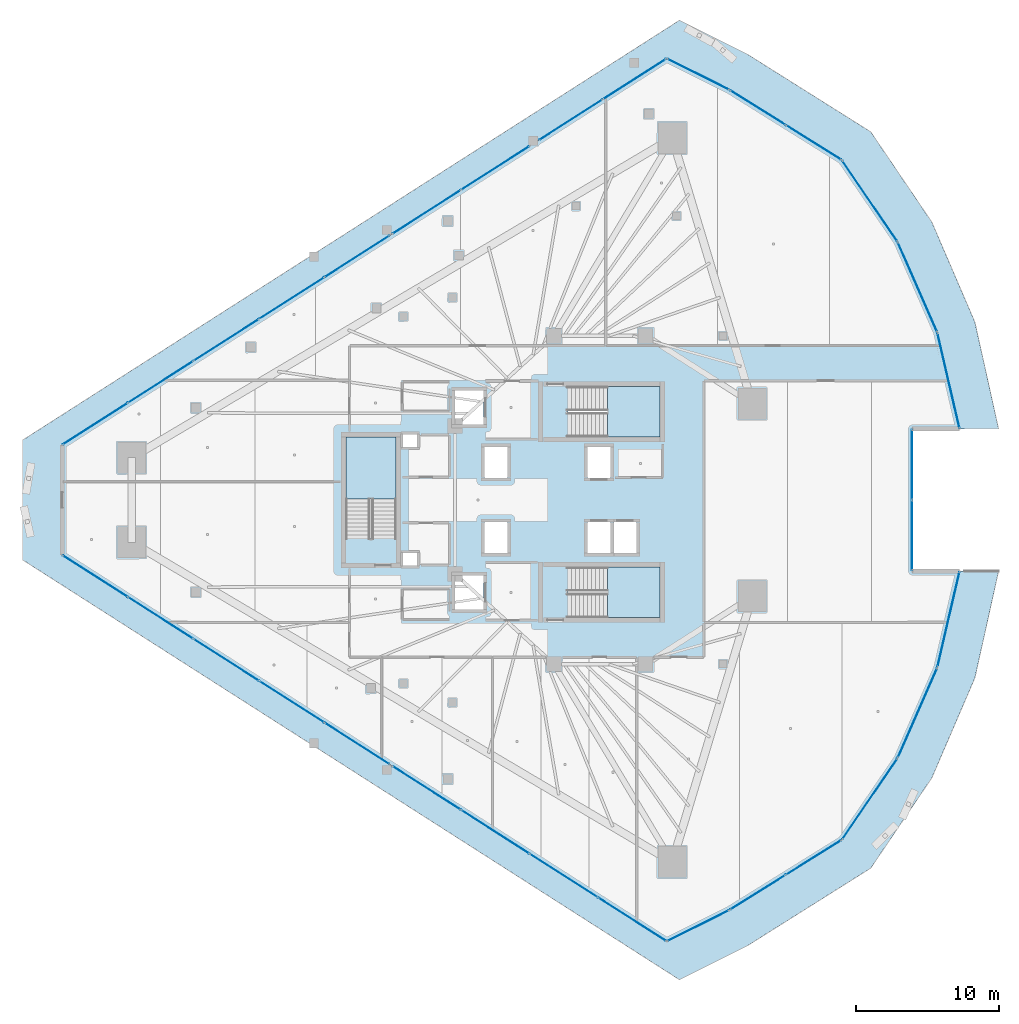
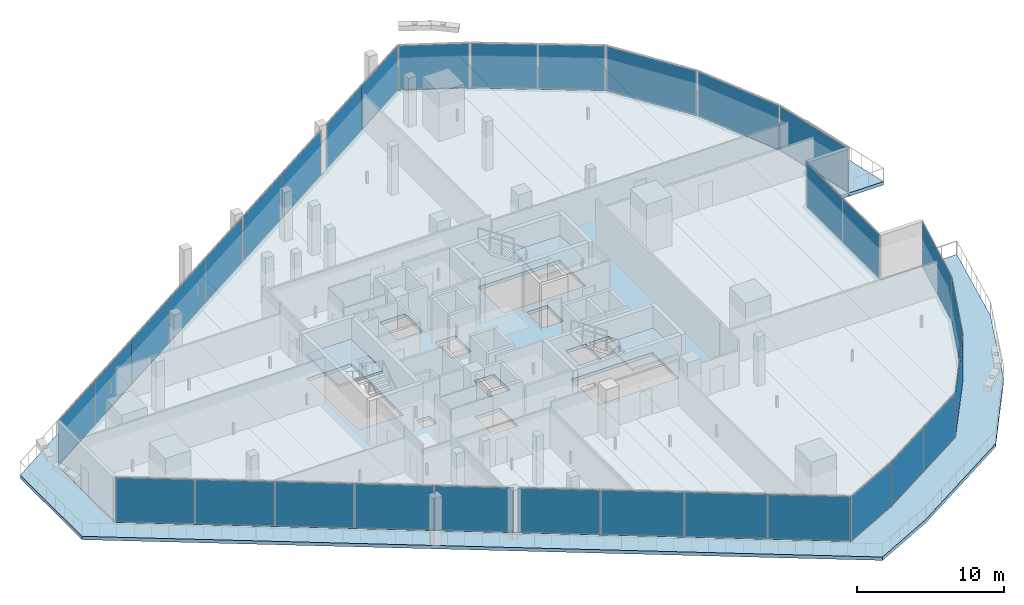
# One storey, part 26 of 42: 32 plates, 5 slabs, 19 elements without a shape of their own.
"""IFC4 building model written with IfcOpenShell, lengths in metres."""

from ifc_helpers import new_model, si_unit, direction, frame, origin, origin_2d, place, context, subcontext, project, spatial, polyline, rectangle, outline, extrude, material, layer, layer_set, type_object, element, aggregate, save


model = new_model("IFC4")

# Units and contexts
model_context = context("Model", 3, precision=1e-05, world=origin(), true_north=direction((0.0, 1.0)))
body_context = subcontext(model_context, "Body", "Model", "MODEL_VIEW")
ifc_project = project(units=[si_unit("LENGTHUNIT", "METRE"), si_unit("AREAUNIT", "SQUARE_METRE"), si_unit("VOLUMEUNIT", "CUBIC_METRE"), si_unit("PLANEANGLEUNIT", "RADIAN"), si_unit("MASSUNIT", "GRAM", prefix="KILO")], contexts=[model_context])

# Site, building, storey
site_placement = place(None, origin())
site = spatial("IfcSite", under=ifc_project, at=site_placement, CompositionType="ELEMENT")
building_placement = place(site_placement, origin())
building = spatial("IfcBuilding", under=site, at=building_placement, Name="Qorvath Tower", CompositionType="ELEMENT")
storey_placement = place(building_placement, frame((0.0, 0.0, 117.89990234375)))
storey = spatial("IfcBuildingStorey", under=building, at=storey_placement, Name="L26", CompositionType="ELEMENT", Elevation=117.89990234375)

# Curtain wall, plates
ifc_material_1 = material(Name="Anodised aluminium and triple low-E glass", Category="aluminium")
ifc_layer_1 = layer(ifc_material_1, 0.179931640625)
ifc_layer_set_1 = layer_set([ifc_layer_1], Name="CW-SYS-2")
curtain_wall_type = type_object("IfcCurtainWallType", Name="CW-SYS-2", PredefinedType="NOTDEFINED", material=ifc_layer_set_1)
curtain_wall_1_placement = place(storey_placement, origin())
curtain_wall_1 = element("IfcCurtainWall", 1, at=curtain_wall_1_placement, inside=storey, type_object=curtain_wall_type, Name="Curtain Wall CW-2 CW-T-L26-2.1", PredefinedType="NOTDEFINED")
ifc_material_2 = material(Name="Low-E triple insulated glass", Category="glass")
ifc_layer_2 = layer(ifc_material_2, 0.031982421875)
ifc_layer_set_2 = layer_set([ifc_layer_2], Name="CWP-GLZ-32")
plate_type = type_object("IfcPlateType", Name="CWP-GLZ-32", PredefinedType="CURTAIN_PANEL", material=ifc_layer_set_2)
plate_1_placement = place(storey_placement, frame((-55.589599609375, -5.318359375, 0.06494140625), z_axis=(0.0, 0.0, 1.0), x_axis=(0.842603667285, -0.538534177075, 0.0)))
plate_1 = element("IfcPlate", 2, at=plate_1_placement, type_object=plate_type, Name="CW-2 panel 1.1", PredefinedType="CURTAIN_PANEL", context=body_context, shape_type="SweptSolid", body=[
    extrude(rectangle(XDim=5.32861328125, YDim=0.031982421875, at=origin_2d()), origin(), (0.0, 0.0, 1.0), 3.639892578125),
])
plate_2_placement = place(storey_placement, frame((-51.03125, -8.231689453125, 0.06494140625), z_axis=(0.0, 0.0, 1.0), x_axis=(0.842603667285, -0.538534177075, 0.0)))
plate_2 = element("IfcPlate", 3, at=plate_2_placement, type_object=plate_type, Name="CW-2 panel 2.1", PredefinedType="CURTAIN_PANEL", context=body_context, shape_type="SweptSolid", body=[
    extrude(rectangle(XDim=5.361083984375, YDim=0.031982421875, at=origin_2d()), origin(), (0.0, 0.0, 1.0), 3.639892578125),
])
plate_3_placement = place(storey_placement, frame((-46.459228515625, -11.15380859375, 0.06494140625), z_axis=(0.0, 0.0, 1.0), x_axis=(0.842603667285, -0.538534177075, 0.0)))
plate_3 = element("IfcPlate", 4, at=plate_3_placement, type_object=plate_type, Name="CW-2 panel 3.1", PredefinedType="CURTAIN_PANEL", context=body_context, shape_type="SweptSolid", body=[
    extrude(rectangle(XDim=5.361083984375, YDim=0.031982421875, at=origin_2d()), origin(), (0.0, 0.0, 1.0), 3.639892578125),
])
plate_4_placement = place(storey_placement, frame((-41.88720703125, -14.075927734375, 0.06494140625), z_axis=(0.0, 0.0, 1.0), x_axis=(0.842603667285, -0.538534177075, 0.0)))
plate_4 = element("IfcPlate", 5, at=plate_4_placement, type_object=plate_type, Name="CW-2 panel 4.1", PredefinedType="CURTAIN_PANEL", context=body_context, shape_type="SweptSolid", body=[
    extrude(rectangle(XDim=5.361083984375, YDim=0.031982421875, at=origin_2d()), origin(), (0.0, 0.0, 1.0), 3.639892578125),
])
plate_5_placement = place(storey_placement, frame((-37.328857421875, -16.989501953125, 0.06494140625), z_axis=(0.0, 0.0, 1.0), x_axis=(0.842603667285, -0.538534177075, 0.0)))
plate_5 = element("IfcPlate", 6, at=plate_5_placement, type_object=plate_type, Name="CW-2 panel 5.1", PredefinedType="CURTAIN_PANEL", context=body_context, shape_type="SweptSolid", body=[
    extrude(rectangle(XDim=5.32861328125, YDim=0.031982421875, at=origin_2d()), origin(), (0.0, 0.0, 1.0), 3.639892578125),
])
aggregate(curtain_wall_1, [plate_1, plate_2, plate_3, plate_4, plate_5])

curtain_wall_2_placement = place(storey_placement, origin())
curtain_wall_2 = element("IfcCurtainWall", 7, at=curtain_wall_2_placement, inside=storey, type_object=curtain_wall_type, Name="Curtain Wall CW-2 CW-T-L26-2.2", PredefinedType="NOTDEFINED")
plate_6_placement = place(storey_placement, frame((-32.474853515625, -20.091796875, 0.06494140625), z_axis=(0.0, 0.0, 1.0), x_axis=(0.84260239638, -0.538536165559, 0.0)))
plate_6 = element("IfcPlate", 8, at=plate_6_placement, type_object=plate_type, Name="CW-2 panel 1.1", PredefinedType="CURTAIN_PANEL", context=body_context, shape_type="SweptSolid", body=[
    extrude(rectangle(XDim=5.582763671875, YDim=0.031982421875, at=origin_2d()), origin(), (0.0, 0.0, 1.0), 3.639892578125),
])
plate_7_placement = place(storey_placement, frame((-27.702392578125, -23.14208984375, 0.06494140625), z_axis=(0.0, 0.0, 1.0), x_axis=(0.84260239638, -0.538536165559, 0.0)))
plate_7 = element("IfcPlate", 9, at=plate_7_placement, type_object=plate_type, Name="CW-2 panel 2.1", PredefinedType="CURTAIN_PANEL", context=body_context, shape_type="SweptSolid", body=[
    extrude(rectangle(XDim=5.615234375, YDim=0.031982421875, at=origin_2d()), origin(), (0.0, 0.0, 1.0), 3.639892578125),
])
plate_8_placement = place(storey_placement, frame((-22.916015625, -26.201171875, 0.06494140625), z_axis=(0.0, 0.0, 1.0), x_axis=(0.84260239638, -0.538536165559, 0.0)))
plate_8 = element("IfcPlate", 10, at=plate_8_placement, type_object=plate_type, Name="CW-2 panel 3.1", PredefinedType="CURTAIN_PANEL", context=body_context, shape_type="SweptSolid", body=[
    extrude(rectangle(XDim=5.615234375, YDim=0.031982421875, at=origin_2d()), origin(), (0.0, 0.0, 1.0), 3.639892578125),
])
plate_9_placement = place(storey_placement, frame((-18.1435546875, -29.251220703125, 0.06494140625), z_axis=(0.0, 0.0, 1.0), x_axis=(0.84260239638, -0.538536165559, 0.0)))
plate_9 = element("IfcPlate", 11, at=plate_9_placement, type_object=plate_type, Name="CW-2 panel 4.1", PredefinedType="CURTAIN_PANEL", context=body_context, shape_type="SweptSolid", body=[
    extrude(rectangle(XDim=5.582763671875, YDim=0.031982421875, at=origin_2d()), origin(), (0.0, 0.0, 1.0), 3.639892578125),
])
aggregate(curtain_wall_2, [plate_6, plate_7, plate_8, plate_9])

# Curtain wall, plate
curtain_wall_3_placement = place(storey_placement, origin())
curtain_wall_3 = element("IfcCurtainWall", 12, at=curtain_wall_3_placement, inside=storey, type_object=curtain_wall_type, Name="Curtain Wall CW-2 CW-T-L26-3.1", PredefinedType="NOTDEFINED")
plate_10_placement = place(storey_placement, frame((-13.53759765625, -29.68994140625, 0.06494140625), z_axis=(0.0, 0.0, 1.0), x_axis=(0.894402787992, 0.447262398188, 0.0)))
plate_10 = element("IfcPlate", 13, at=plate_10_placement, type_object=plate_type, Name="CW-2 panel 1.1", PredefinedType="CURTAIN_PANEL", context=body_context, shape_type="SweptSolid", body=[
    extrude(rectangle(XDim=4.78759765625, YDim=0.031982421875, at=origin_2d()), origin(), (0.0, 0.0, 1.0), 3.639892578125),
])
aggregate(curtain_wall_3, [plate_10])

# Curtain wall, plates
curtain_wall_4_placement = place(storey_placement, origin())
curtain_wall_4 = element("IfcCurtainWall", 14, at=curtain_wall_4_placement, inside=storey, type_object=curtain_wall_type, Name="Curtain Wall CW-2 CW-T-L26-4.1", PredefinedType="NOTDEFINED")
plate_11_placement = place(storey_placement, frame((-9.370361328125, -27.361572265625, 0.06494140625), z_axis=(0.0, 0.0, 1.0), x_axis=(0.84830786263, 0.529503324069, 0.0)))
plate_11 = element("IfcPlate", 15, at=plate_11_placement, type_object=plate_type, Name="CW-2 panel 1.1", PredefinedType="CURTAIN_PANEL", context=body_context, shape_type="SweptSolid", body=[
    extrude(rectangle(XDim=4.510009765625, YDim=0.031982421875, at=origin_2d()), origin(), (0.0, 0.0, 1.0), 3.639892578125),
])
plate_12_placement = place(storey_placement, frame((-5.4892578125, -24.939208984375, 0.06494140625), z_axis=(0.0, 0.0, 1.0), x_axis=(0.84830786263, 0.529503324069, 0.0)))
plate_12 = element("IfcPlate", 16, at=plate_12_placement, type_object=plate_type, Name="CW-2 panel 2.1", PredefinedType="CURTAIN_PANEL", context=body_context, shape_type="SweptSolid", body=[
    extrude(rectangle(XDim=4.510009765625, YDim=0.031982421875, at=origin_2d()), origin(), (0.0, 0.0, 1.0), 3.639892578125),
])
aggregate(curtain_wall_4, [plate_11, plate_12])

# Curtain wall, plate
curtain_wall_5_placement = place(storey_placement, origin())
curtain_wall_5 = element("IfcCurtainWall", 17, at=curtain_wall_5_placement, inside=storey, type_object=curtain_wall_type, Name="Curtain Wall CW-2 CW-T-L26-5.1", PredefinedType="NOTDEFINED")
plate_13_placement = place(storey_placement, frame((-1.574462890625, -20.861572265625, 0.06494140625), z_axis=(0.0, 0.0, 1.0), x_axis=(0.564163835208, 0.825662865244, 0.0)))
plate_13 = element("IfcPlate", 18, at=plate_13_placement, type_object=plate_type, Name="CW-2 panel 1.1", PredefinedType="CURTAIN_PANEL", context=body_context, shape_type="SweptSolid", body=[
    extrude(rectangle(XDim=6.771484375, YDim=0.031982421875, at=origin_2d()), origin(), (0.0, 0.0, 1.0), 3.639892578125),
])
aggregate(curtain_wall_5, [plate_13])

curtain_wall_6_placement = place(storey_placement, origin())
curtain_wall_6 = element("IfcCurtainWall", 19, at=curtain_wall_6_placement, inside=storey, type_object=curtain_wall_type, Name="Curtain Wall CW-2 CW-T-L26-6.1", PredefinedType="NOTDEFINED")
plate_14_placement = place(storey_placement, frame((1.75830078125, -14.852294921875, 0.06494140625), z_axis=(0.0, 0.0, 1.0), x_axis=(0.401648703602, 0.915793818987, 0.0)))
plate_14 = element("IfcPlate", 20, at=plate_14_placement, type_object=plate_type, Name="CW-2 panel 1.1", PredefinedType="CURTAIN_PANEL", context=body_context, shape_type="SweptSolid", body=[
    extrude(rectangle(XDim=6.771484375, YDim=0.031982421875, at=origin_2d()), origin(), (0.0, 0.0, 1.0), 3.639892578125),
])
aggregate(curtain_wall_6, [plate_14])

curtain_wall_7_placement = place(storey_placement, origin())
curtain_wall_7 = element("IfcCurtainWall", 21, at=curtain_wall_7_placement, inside=storey, type_object=curtain_wall_type, Name="Curtain Wall CW-2 CW-T-L26-7.1", PredefinedType="NOTDEFINED")
plate_15_placement = place(storey_placement, frame((3.921630859375, -8.330078125, 0.06494140625), z_axis=(0.0, 0.0, 1.0), x_axis=(0.225270080166, 0.974296356855, 0.0)))
plate_15 = element("IfcPlate", 22, at=plate_15_placement, type_object=plate_type, Name="CW-2 panel 1.1", PredefinedType="CURTAIN_PANEL", context=body_context, shape_type="SweptSolid", body=[
    extrude(rectangle(XDim=6.771484375, YDim=0.031982421875, at=origin_2d()), origin(), (0.0, 0.0, 1.0), 3.639892578125),
])
aggregate(curtain_wall_7, [plate_15])

# Curtain wall, plates
curtain_wall_8_placement = place(storey_placement, origin())
curtain_wall_8 = element("IfcCurtainWall", 23, at=curtain_wall_8_placement, inside=storey, type_object=curtain_wall_type, Name="Curtain Wall CW-2 CW-T-L26-9.1", PredefinedType="NOTDEFINED")
plate_16_placement = place(storey_placement, frame((1.386962890625, -2.4677734375, 0.06494140625), z_axis=(0.0, 0.0, 1.0), x_axis=(0.0, 1.0, 0.0)))
plate_16 = element("IfcPlate", 24, at=plate_16_placement, type_object=plate_type, Name="CW-2 panel 1.1", PredefinedType="CURTAIN_PANEL", context=body_context, shape_type="SweptSolid", body=[
    extrude(rectangle(XDim=4.87060546875, YDim=0.031982421875, at=origin_2d()), origin(), (0.0, 0.0, 1.0), 3.639892578125),
])
plate_17_placement = place(storey_placement, frame((1.386962890625, 2.4677734375, 0.06494140625), z_axis=(0.0, 0.0, 1.0), x_axis=(0.0, 1.0, 0.0)))
plate_17 = element("IfcPlate", 25, at=plate_17_placement, type_object=plate_type, Name="CW-2 panel 2.1", PredefinedType="CURTAIN_PANEL", context=body_context, shape_type="SweptSolid", body=[
    extrude(rectangle(XDim=4.87060546875, YDim=0.031982421875, at=origin_2d()), origin(), (0.0, 0.0, 1.0), 3.639892578125),
])
aggregate(curtain_wall_8, [plate_16, plate_17])

# Curtain wall, plate
curtain_wall_9_placement = place(storey_placement, origin())
curtain_wall_9 = element("IfcCurtainWall", 26, at=curtain_wall_9_placement, inside=storey, type_object=curtain_wall_type, Name="Curtain Wall CW-2 CW-T-L26-11.1", PredefinedType="NOTDEFINED")
plate_18_placement = place(storey_placement, frame((3.921630859375, 8.330078125, 0.06494140625), z_axis=(0.0, 0.0, 1.0), x_axis=(-0.225270080166, 0.974296356855, 0.0)))
plate_18 = element("IfcPlate", 27, at=plate_18_placement, type_object=plate_type, Name="CW-2 panel 1.1", PredefinedType="CURTAIN_PANEL", context=body_context, shape_type="SweptSolid", body=[
    extrude(rectangle(XDim=6.771484375, YDim=0.031982421875, at=origin_2d()), origin(), (0.0, 0.0, 1.0), 3.639892578125),
])
aggregate(curtain_wall_9, [plate_18])

curtain_wall_10_placement = place(storey_placement, origin())
curtain_wall_10 = element("IfcCurtainWall", 28, at=curtain_wall_10_placement, inside=storey, type_object=curtain_wall_type, Name="Curtain Wall CW-2 CW-T-L26-12.1", PredefinedType="NOTDEFINED")
plate_19_placement = place(storey_placement, frame((1.75830078125, 14.852294921875, 0.06494140625), z_axis=(0.0, 0.0, 1.0), x_axis=(-0.401648703602, 0.915793818987, 0.0)))
plate_19 = element("IfcPlate", 29, at=plate_19_placement, type_object=plate_type, Name="CW-2 panel 1.1", PredefinedType="CURTAIN_PANEL", context=body_context, shape_type="SweptSolid", body=[
    extrude(rectangle(XDim=6.771484375, YDim=0.031982421875, at=origin_2d()), origin(), (0.0, 0.0, 1.0), 3.639892578125),
])
aggregate(curtain_wall_10, [plate_19])

curtain_wall_11_placement = place(storey_placement, origin())
curtain_wall_11 = element("IfcCurtainWall", 30, at=curtain_wall_11_placement, inside=storey, type_object=curtain_wall_type, Name="Curtain Wall CW-2 CW-T-L26-13.1", PredefinedType="NOTDEFINED")
plate_20_placement = place(storey_placement, frame((-1.574462890625, 20.861572265625, 0.06494140625), z_axis=(0.0, 0.0, 1.0), x_axis=(-0.564163835208, 0.825662865244, 0.0)))
plate_20 = element("IfcPlate", 31, at=plate_20_placement, type_object=plate_type, Name="CW-2 panel 1.1", PredefinedType="CURTAIN_PANEL", context=body_context, shape_type="SweptSolid", body=[
    extrude(rectangle(XDim=6.771484375, YDim=0.031982421875, at=origin_2d()), origin(), (0.0, 0.0, 1.0), 3.639892578125),
])
aggregate(curtain_wall_11, [plate_20])

# Curtain wall, plates
curtain_wall_12_placement = place(storey_placement, origin())
curtain_wall_12 = element("IfcCurtainWall", 32, at=curtain_wall_12_placement, inside=storey, type_object=curtain_wall_type, Name="Curtain Wall CW-2 CW-T-L26-14.1", PredefinedType="NOTDEFINED")
plate_21_placement = place(storey_placement, frame((-5.4892578125, 24.939208984375, 0.06494140625), z_axis=(0.0, 0.0, 1.0), x_axis=(-0.84830786263, 0.529503324069, 0.0)))
plate_21 = element("IfcPlate", 33, at=plate_21_placement, type_object=plate_type, Name="CW-2 panel 1.1", PredefinedType="CURTAIN_PANEL", context=body_context, shape_type="SweptSolid", body=[
    extrude(rectangle(XDim=4.510009765625, YDim=0.031982421875, at=origin_2d()), origin(), (0.0, 0.0, 1.0), 3.639892578125),
])
plate_22_placement = place(storey_placement, frame((-9.370361328125, 27.361572265625, 0.06494140625), z_axis=(0.0, 0.0, 1.0), x_axis=(-0.84830786263, 0.529503324069, 0.0)))
plate_22 = element("IfcPlate", 34, at=plate_22_placement, type_object=plate_type, Name="CW-2 panel 2.1", PredefinedType="CURTAIN_PANEL", context=body_context, shape_type="SweptSolid", body=[
    extrude(rectangle(XDim=4.510009765625, YDim=0.031982421875, at=origin_2d()), origin(), (0.0, 0.0, 1.0), 3.639892578125),
])
aggregate(curtain_wall_12, [plate_21, plate_22])

# Curtain wall, plate
curtain_wall_13_placement = place(storey_placement, origin())
curtain_wall_13 = element("IfcCurtainWall", 35, at=curtain_wall_13_placement, inside=storey, type_object=curtain_wall_type, Name="Curtain Wall CW-2 CW-T-L26-15.1", PredefinedType="NOTDEFINED")
plate_23_placement = place(storey_placement, frame((-13.53759765625, 29.68994140625, 0.06494140625), z_axis=(0.0, 0.0, 1.0), x_axis=(-0.894402787992, 0.447262398188, 0.0)))
plate_23 = element("IfcPlate", 36, at=plate_23_placement, type_object=plate_type, Name="CW-2 panel 1.1", PredefinedType="CURTAIN_PANEL", context=body_context, shape_type="SweptSolid", body=[
    extrude(rectangle(XDim=4.78759765625, YDim=0.031982421875, at=origin_2d()), origin(), (0.0, 0.0, 1.0), 3.639892578125),
])
aggregate(curtain_wall_13, [plate_23])

# Curtain wall, plates
curtain_wall_14_placement = place(storey_placement, origin())
curtain_wall_14 = element("IfcCurtainWall", 37, at=curtain_wall_14_placement, inside=storey, type_object=curtain_wall_type, Name="Curtain Wall CW-2 CW-T-L26-16.1", PredefinedType="NOTDEFINED")
plate_24_placement = place(storey_placement, frame((-17.983154296875, 29.353759765625, 0.06494140625), z_axis=(0.0, 0.0, 1.0), x_axis=(-0.842594581481, -0.538548392681, 0.0)))
plate_24 = element("IfcPlate", 38, at=plate_24_placement, type_object=plate_type, Name="CW-2 panel 1.1", PredefinedType="CURTAIN_PANEL", context=body_context, shape_type="SweptSolid", body=[
    extrude(rectangle(XDim=5.201904296875, YDim=0.031982421875, at=origin_2d()), origin(), (0.0, 0.0, 1.0), 3.639892578125),
])
plate_25_placement = place(storey_placement, frame((-22.421142578125, 26.517333984375, 0.06494140625), z_axis=(0.0, 0.0, 1.0), x_axis=(-0.842594581481, -0.538548392681, 0.0)))
plate_25 = element("IfcPlate", 39, at=plate_25_placement, type_object=plate_type, Name="CW-2 panel 2.1", PredefinedType="CURTAIN_PANEL", context=body_context, shape_type="SweptSolid", body=[
    extrude(rectangle(XDim=5.201904296875, YDim=0.031982421875, at=origin_2d()), origin(), (0.0, 0.0, 1.0), 3.639892578125),
])
aggregate(curtain_wall_14, [plate_24, plate_25])

curtain_wall_15_placement = place(storey_placement, origin())
curtain_wall_15 = element("IfcCurtainWall", 40, at=curtain_wall_15_placement, inside=storey, type_object=curtain_wall_type, Name="Curtain Wall CW-2 CW-T-L26-16.2", PredefinedType="NOTDEFINED")
plate_26_placement = place(storey_placement, frame((-27.69580078125, 23.146240234375, 0.06494140625), z_axis=(0.0, 0.0, 1.0), x_axis=(-0.842606643442, -0.538529520478, 0.0)))
plate_26 = element("IfcPlate", 41, at=plate_26_placement, type_object=plate_type, Name="CW-2 panel 1.1", PredefinedType="CURTAIN_PANEL", context=body_context, shape_type="SweptSolid", body=[
    extrude(rectangle(XDim=5.5986328125, YDim=0.031982421875, at=origin_2d()), origin(), (0.0, 0.0, 1.0), 3.639892578125),
])
plate_27_placement = place(storey_placement, frame((-32.468017578125, 20.095947265625, 0.06494140625), z_axis=(0.0, 0.0, 1.0), x_axis=(-0.842606643442, -0.538529520478, 0.0)))
plate_27 = element("IfcPlate", 42, at=plate_27_placement, type_object=plate_type, Name="CW-2 panel 2.1", PredefinedType="CURTAIN_PANEL", context=body_context, shape_type="SweptSolid", body=[
    extrude(rectangle(XDim=5.5986328125, YDim=0.031982421875, at=origin_2d()), origin(), (0.0, 0.0, 1.0), 3.639892578125),
])
aggregate(curtain_wall_15, [plate_26, plate_27])

curtain_wall_16_placement = place(storey_placement, origin())
curtain_wall_16 = element("IfcCurtainWall", 43, at=curtain_wall_16_placement, inside=storey, type_object=curtain_wall_type, Name="Curtain Wall CW-2 CW-T-L26-16.3", PredefinedType="NOTDEFINED")
plate_28_placement = place(storey_placement, frame((-37.328857421875, 16.989501953125, 0.06494140625), z_axis=(0.0, 0.0, 1.0), x_axis=(-0.842603667285, -0.538534177075, 0.0)))
plate_28 = element("IfcPlate", 44, at=plate_28_placement, type_object=plate_type, Name="CW-2 panel 1.1", PredefinedType="CURTAIN_PANEL", context=body_context, shape_type="SweptSolid", body=[
    extrude(rectangle(XDim=5.32861328125, YDim=0.031982421875, at=origin_2d()), origin(), (0.0, 0.0, 1.0), 3.639892578125),
])
plate_29_placement = place(storey_placement, frame((-41.88720703125, 14.075927734375, 0.06494140625), z_axis=(0.0, 0.0, 1.0), x_axis=(-0.842603667285, -0.538534177075, 0.0)))
plate_29 = element("IfcPlate", 45, at=plate_29_placement, type_object=plate_type, Name="CW-2 panel 2.1", PredefinedType="CURTAIN_PANEL", context=body_context, shape_type="SweptSolid", body=[
    extrude(rectangle(XDim=5.361083984375, YDim=0.031982421875, at=origin_2d()), origin(), (0.0, 0.0, 1.0), 3.639892578125),
])
plate_30_placement = place(storey_placement, frame((-46.459228515625, 11.15380859375, 0.06494140625), z_axis=(0.0, 0.0, 1.0), x_axis=(-0.842603667285, -0.538534177075, 0.0)))
plate_30 = element("IfcPlate", 46, at=plate_30_placement, type_object=plate_type, Name="CW-2 panel 3.1", PredefinedType="CURTAIN_PANEL", context=body_context, shape_type="SweptSolid", body=[
    extrude(rectangle(XDim=5.361083984375, YDim=0.031982421875, at=origin_2d()), origin(), (0.0, 0.0, 1.0), 3.639892578125),
])
plate_31_placement = place(storey_placement, frame((-51.03125, 8.231689453125, 0.06494140625), z_axis=(0.0, 0.0, 1.0), x_axis=(-0.842603667285, -0.538534177075, 0.0)))
plate_31 = element("IfcPlate", 47, at=plate_31_placement, type_object=plate_type, Name="CW-2 panel 4.1", PredefinedType="CURTAIN_PANEL", context=body_context, shape_type="SweptSolid", body=[
    extrude(rectangle(XDim=5.361083984375, YDim=0.031982421875, at=origin_2d()), origin(), (0.0, 0.0, 1.0), 3.639892578125),
])
plate_32_placement = place(storey_placement, frame((-55.589599609375, 5.318359375, 0.06494140625), z_axis=(0.0, 0.0, 1.0), x_axis=(-0.842603667285, -0.538534177075, 0.0)))
plate_32 = element("IfcPlate", 48, at=plate_32_placement, type_object=plate_type, Name="CW-2 panel 5.1", PredefinedType="CURTAIN_PANEL", context=body_context, shape_type="SweptSolid", body=[
    extrude(rectangle(XDim=5.32861328125, YDim=0.031982421875, at=origin_2d()), origin(), (0.0, 0.0, 1.0), 3.639892578125),
])
aggregate(curtain_wall_16, [plate_28, plate_29, plate_30, plate_31, plate_32])

# Stair, slab
ifc_material_3 = material(Name="Concrete C50/60", Category="concrete")
stair_type = type_object("IfcStairType", Name="ST-H405", PredefinedType="HALF_TURN_STAIR", material=ifc_material_3)
stair_1_placement = place(storey_placement, origin())
stair_1 = element("IfcStair", 49, at=stair_1_placement, inside=storey, type_object=stair_type, Name="L26 Tower Exit Stair 1", PredefinedType="HALF_TURN_STAIR")
ifc_material_4 = material(Name="Concrete C50/60", Category="concrete")
ifc_layer_3 = layer(ifc_material_4, 0.199951171875)
ifc_layer_set_3 = layer_set([ifc_layer_3], Name="SL-LND-200")
slab_type_1 = type_object("IfcSlabType", Name="SL-LND-200", PredefinedType="LANDING", material=ifc_layer_set_3)
slab_1_placement = place(storey_placement, frame((0.0, 0.0, 1.8251953125)))
slab_1 = element("IfcSlab", 50, at=slab_1_placement, type_object=slab_type_1, Name="TS1 landing 1", PredefinedType="LANDING", context=body_context, shape_type="SweptSolid", body=[
    extrude(outline(polyline([(-19.8701171875, 4.39990234375), (-16.199951171875, 4.39990234375), (-16.199951171875, 7.909912109375), (-19.8701171875, 7.909912109375), (-19.8701171875, 4.39990234375)])), origin(), (0.0, 0.0, 1.0), 0.199951171875),
])
aggregate(stair_1, [slab_1])

stair_2_placement = place(storey_placement, origin())
stair_2 = element("IfcStair", 51, at=stair_2_placement, inside=storey, type_object=stair_type, Name="L26 Tower Exit Stair 2", PredefinedType="HALF_TURN_STAIR")
slab_2_placement = place(storey_placement, frame((0.0, 0.0, 1.8251953125)))
slab_2 = element("IfcSlab", 52, at=slab_2_placement, type_object=slab_type_1, Name="TS2 landing 1", PredefinedType="LANDING", context=body_context, shape_type="SweptSolid", body=[
    extrude(outline(polyline([(-19.8701171875, -8.199951171875), (-16.199951171875, -8.199951171875), (-16.199951171875, -4.68994140625), (-19.8701171875, -4.68994140625), (-19.8701171875, -8.199951171875)])), origin(), (0.0, 0.0, 1.0), 0.199951171875),
])
aggregate(stair_2, [slab_2])

stair_3_placement = place(storey_placement, origin())
stair_3 = element("IfcStair", 53, at=stair_3_placement, inside=storey, type_object=stair_type, Name="L26 Tower Exit Stair 3", PredefinedType="HALF_TURN_STAIR")
slab_3_placement = place(storey_placement, frame((0.0, 0.0, 1.8251953125)))
slab_3 = element("IfcSlab", 54, at=slab_3_placement, type_object=slab_type_1, Name="TS3 landing 1", PredefinedType="LANDING", context=body_context, shape_type="SweptSolid", body=[
    extrude(outline(polyline([(-34.60009765625, 0.080078125), (-34.60009765625, 4.39990234375), (-38.110107421875, 4.39990234375), (-38.110107421875, 0.080078125), (-34.60009765625, 0.080078125)])), origin(), (0.0, 0.0, 1.0), 0.199951171875),
])
aggregate(stair_3, [slab_3])

# Slabs
ifc_material_5 = material(Name="Precast concrete C45/55", Category="concrete")
ifc_layer_4 = layer(ifc_material_5, 0.280029296875)
ifc_layer_set_4 = layer_set([ifc_layer_4], Name="SL-LOG-280")
slab_type_2 = type_object("IfcSlabType", Name="SL-LOG-280", PredefinedType="FLOOR", material=ifc_layer_set_4)
slab_4_placement = place(storey_placement, frame((0.0, 0.0, -0.27978515625)))
element("IfcSlab", 55, at=slab_4_placement, inside=storey, type_object=slab_type_2, Name="Tower L26 Perimeter Loggia and Terrace Slab", PredefinedType="FLOOR", context=body_context, shape_type="SweptSolid", body=[
    extrude(outline(polyline([(4.698974609375, -4.968017578125), (3.144287109375, -11.692138671875), (0.372314453125, -18.012451171875), (-3.521240234375, -23.710693359375), (-11.33837890625, -28.590087890625), (-15.73681640625, -30.78955078125), (-57.88916015625, -3.8486328125), (-57.88916015625, 3.8486328125), (-15.73681640625, 30.78955078125), (-11.33837890625, 28.590087890625), (-3.521240234375, 23.710693359375), (0.372314453125, 18.012451171875), (3.144287109375, 11.692138671875), (4.698974609375, 4.968017578125), (7.4150390625, 4.968017578125), (5.77099609375, 12.39599609375), (2.762451171875, 19.38330078125), (-1.504150390625, 25.681884765625), (-10.06787109375, 31.06787109375), (-14.847412109375, 33.457763671875), (-60.652587890625, 4.18212890625), (-60.652587890625, -4.18212890625), (-14.847412109375, -33.457763671875), (-10.06787109375, -31.06787109375), (-1.504150390625, -25.681884765625), (2.762451171875, -19.38330078125), (5.77099609375, -12.39599609375), (7.4150390625, -4.968017578125), (4.698974609375, -4.968017578125)])), origin(), (0.0, 0.0, 1.0), 0.27978515625),
])
ifc_material_6 = material(Name="Concrete C45/55", Category="concrete")
ifc_layer_5 = layer(ifc_material_6, 0.280029296875)
ifc_layer_set_5 = layer_set([ifc_layer_5], Name="SL-TYP-280")
slab_type_3 = type_object("IfcSlabType", Name="SL-TYP-280", PredefinedType="FLOOR", material=ifc_layer_set_5)
slab_5_placement = place(storey_placement, frame((0.0, 0.0, -0.27978515625)))
element("IfcSlab", 56, at=slab_5_placement, inside=storey, type_object=slab_type_3, Name="Tower L26 Interior Floor Slab", PredefinedType="FLOOR", context=body_context, shape_type="SweptSolid", body=[
    extrude(outline(polyline([(-57.88916015625, 3.8486328125), (-57.88916015625, -3.8486328125), (-15.73681640625, -30.78955078125), (-11.33837890625, -28.590087890625), (-3.521240234375, -23.710693359375), (0.372314453125, -18.012451171875), (3.144287109375, -11.692138671875), (4.698974609375, -4.968017578125), (1.386962890625, -4.968017578125), (1.386962890625, 4.968017578125), (4.698974609375, 4.968017578125), (3.144287109375, 11.692138671875), (0.372314453125, 18.012451171875), (-3.521240234375, 23.710693359375), (-11.33837890625, 28.590087890625), (-15.73681640625, 30.78955078125), (-57.88916015625, 3.8486328125)]), holes=[polyline([(-16.2451171875, -8.199951171875), (-22.625, -8.199951171875), (-22.625, -4.68994140625), (-16.2451171875, -4.68994140625), (-16.2451171875, -8.199951171875)]), polyline([(-22.625, 4.39990234375), (-22.625, 7.909912109375), (-16.2451171875, 7.909912109375), (-16.2451171875, 4.39990234375), (-22.625, 4.39990234375)]), polyline([(-17.85009765625, -3.699951171875), (-19.449951171875, -3.699951171875), (-19.449951171875, -1.550048828125), (-17.85009765625, -1.550048828125), (-17.85009765625, -3.699951171875)]), polyline([(-21.25, -3.699951171875), (-21.25, -1.550048828125), (-19.64990234375, -1.550048828125), (-19.64990234375, -3.699951171875), (-21.25, -3.699951171875)]), polyline([(-21.25, 1.550048828125), (-21.25, 3.699951171875), (-19.64990234375, 3.699951171875), (-19.64990234375, 1.550048828125), (-21.25, 1.550048828125)]), polyline([(-28.449951171875, -3.699951171875), (-28.449951171875, -1.550048828125), (-26.85009765625, -1.550048828125), (-26.85009765625, -3.699951171875), (-28.449951171875, -3.699951171875)]), polyline([(-26.85009765625, 1.550048828125), (-28.449951171875, 1.550048828125), (-28.449951171875, 3.699951171875), (-26.85009765625, 3.699951171875), (-26.85009765625, 1.550048828125)]), polyline([(-28.5, -7.64990234375), (-30.5, -7.64990234375), (-30.5, -5.25), (-28.5, -5.25), (-28.5, -7.64990234375)]), polyline([(-30.5, 5.25), (-30.5, 7.64990234375), (-28.5, 7.64990234375), (-28.5, 5.25), (-30.5, 5.25)]), polyline([(-34.14990234375, -4.6201171875), (-34.14990234375, -3.64990234375), (-33.10009765625, -3.64990234375), (-33.10009765625, -4.6201171875), (-34.14990234375, -4.6201171875)]), polyline([(-34.14990234375, 3.64990234375), (-34.14990234375, 4.6201171875), (-33.10009765625, 4.6201171875), (-33.10009765625, 3.64990234375), (-34.14990234375, 3.64990234375)]), polyline([(-34.60009765625, -2.675048828125), (-38.110107421875, -2.675048828125), (-38.110107421875, 4.35498046875), (-34.60009765625, 4.35498046875), (-34.60009765625, -2.675048828125)])]), origin(), (0.0, 0.0, 1.0), 0.27978515625),
])

save(model, "model.ifc")
